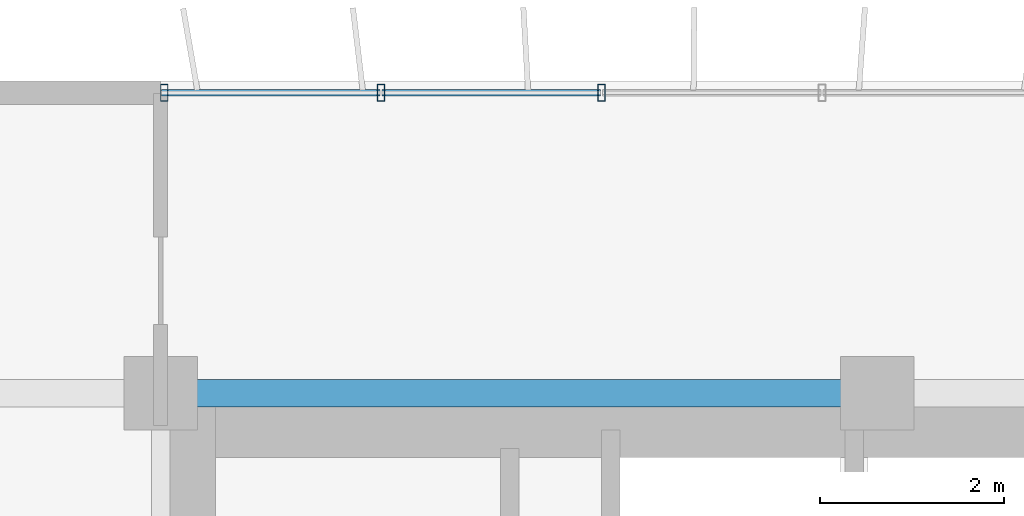
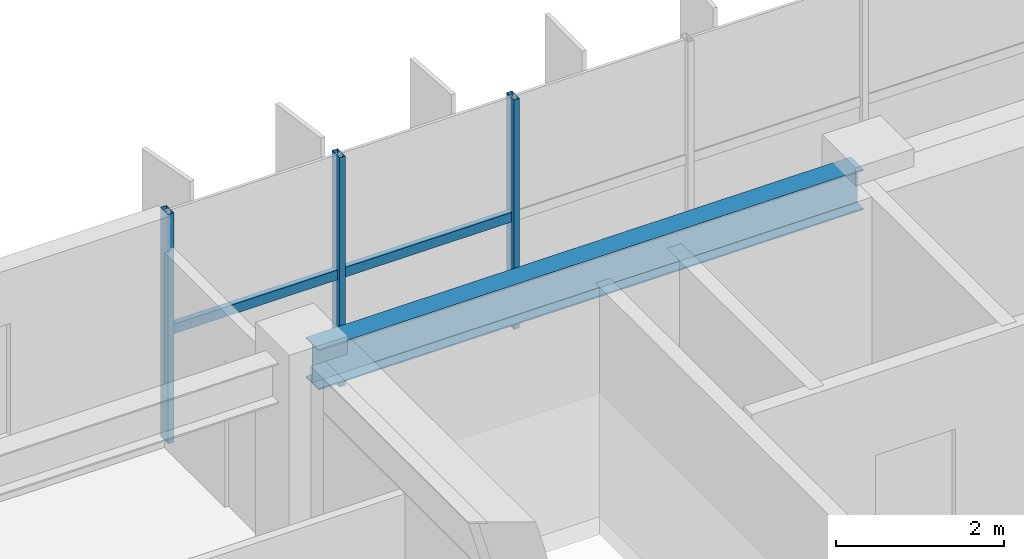
# One storey, part 5 of 22: 5 members, 1 beam, 1 element without a shape of its own.
"""IFC4 building model written with IfcOpenShell, lengths in metres."""

import ifcopenshell
import ifcopenshell.guid

model = None  # the IFC model being written
_history = None  # IfcOwnerHistory: only IFC2X3 demands one
_inside = {}  # id of a spatial element -> (the spatial element, [elements in it])
_under = {}  # id of a project, library or spatial element -> (it, [spatial elements below it])
_declared = {}  # id of a project -> (the project, [libraries it declares])
_typed = {}  # id of a type object -> (the type object, [elements of that type])
_made_of = {}  # id of a material, layer set ... -> (it, [elements and type objects made of it])


def new_model(schema):
    """Start an empty IFC model of exactly this schema.

    Asked for "IFC4X3", IfcOpenShell would pick the latest addendum, in which some entities
    have other attributes; the version numbers below select the first issue.
    IFC2X3 requires an IfcOwnerHistory on every rooted entity: one is made here for all.
    """
    global model, _history
    if schema == "IFC4X3":
        model = ifcopenshell.file(schema_version=(4, 3, 0, 0))
    else:
        model = ifcopenshell.file(schema=schema)
    _inside.clear()
    _under.clear()
    _declared.clear()
    _typed.clear()
    _made_of.clear()
    _history = None
    if model.schema == "IFC2X3":
        org = make("IfcOrganization", Name="unknown")
        user = make(
            "IfcPersonAndOrganization",
            ThePerson=make("IfcPerson", FamilyName="unknown"),
            TheOrganization=org,
        )
        app = make(
            "IfcApplication",
            ApplicationDeveloper=org,
            Version="unknown",
            ApplicationFullName="unknown",
            ApplicationIdentifier="unknown",
        )
        _history = make(
            "IfcOwnerHistory",
            OwningUser=user,
            OwningApplication=app,
            ChangeAction="ADDED",
            CreationDate=0,
        )
    return model


def make(cls, **values):
    """One entity of the class cls with the attributes given. An attribute that is None is left unset."""
    return model.create_entity(
        cls, **{name: value for name, value in values.items() if value is not None}
    )


def rooted(cls, **values):
    """An entity with a GlobalId (a new one), such as an element, a storey or a relation."""
    return make(cls, GlobalId=ifcopenshell.guid.new(), OwnerHistory=_history, **values)


def si_unit(unit_type, name, prefix=None):
    """IfcSIUnit, for example si_unit("LENGTHUNIT", "METRE", prefix="MILLI")."""
    return make("IfcSIUnit", UnitType=unit_type, Prefix=prefix, Name=name)


def assignment(units):
    """IfcUnitAssignment: the units of a project."""
    return None if units is None else make("IfcUnitAssignment", Units=units)


def point(xyz):
    """IfcCartesianPoint."""
    return None if xyz is None else make("IfcCartesianPoint", Coordinates=xyz)


def direction(xyz):
    """IfcDirection."""
    return None if xyz is None else make("IfcDirection", DirectionRatios=xyz)


def frame(location, z_axis=None, x_axis=None):
    """IfcAxis2Placement3D, a coordinate frame: its origin and axes. An axis left out is left unset."""
    return make(
        "IfcAxis2Placement3D",
        Location=point(location),
        Axis=direction(z_axis),
        RefDirection=direction(x_axis),
    )


def frame_2d(location, x_axis=None):
    """IfcAxis2Placement2D, a coordinate frame in the plane: its origin and x axis."""
    return make(
        "IfcAxis2Placement2D", Location=point(location), RefDirection=direction(x_axis)
    )


def origin():
    """The frame at (0, 0, 0) with its axes left unset."""
    return frame((0.0, 0.0, 0.0))


def origin_2d():
    """The frame at (0, 0) in the plane with its x axis left unset."""
    return frame_2d((0.0, 0.0))


def place(relative_to, where):
    """IfcLocalPlacement: puts the frame where relative to a parent placement (None: the world)."""
    return make(
        "IfcLocalPlacement", PlacementRelTo=relative_to, RelativePlacement=where
    )


def context(
    kind, dimensions, precision=None, world=None, true_north=None, identifier=None
):
    """IfcGeometricRepresentationContext, for example the 3D "Model" context."""
    return make(
        "IfcGeometricRepresentationContext",
        ContextIdentifier=identifier,
        ContextType=kind,
        CoordinateSpaceDimension=dimensions,
        Precision=precision,
        WorldCoordinateSystem=world,
        TrueNorth=true_north,
    )


def subcontext(parent, identifier, kind, view, scale=None):
    """IfcGeometricRepresentationSubContext, for example "Body" below "Model"."""
    return make(
        "IfcGeometricRepresentationSubContext",
        ContextIdentifier=identifier,
        ContextType=kind,
        ParentContext=parent,
        TargetScale=scale,
        TargetView=view,
    )


def project(units=None, contexts=None):
    """IfcProject with its units and contexts."""
    return rooted(
        "IfcProject",
        Name="project",
        RepresentationContexts=contexts,
        UnitsInContext=assignment(units),
    )


def spatial(cls, under=None, at=None, **own):
    """A site, building, storey or space (cls), placed at a placement, below another one or the project."""
    s = rooted(cls, ObjectPlacement=at, **own)
    if under is not None:
        _under.setdefault(under.id(), (under, []))[1].append(s)
    return s


def profile(cls, at=None, kind="AREA", **sizes):
    """A parametric profile (cls). Its sizes go by their IFC names, for example OverallWidth=200.0."""
    return make(cls, ProfileType=kind, Position=at, **sizes)


def hollow_rectangle(**sizes):
    """IfcRectangleHollowProfileDef."""
    return profile("IfcRectangleHollowProfileDef", **sizes)


def i_section(**sizes):
    """IfcIShapeProfileDef."""
    return profile("IfcIShapeProfileDef", **sizes)


def extrude(swept, where, along, depth):
    """IfcExtrudedAreaSolid: the profile swept, set in the frame where, extruded along a direction by depth."""
    return make(
        "IfcExtrudedAreaSolid",
        SweptArea=swept,
        Position=where,
        ExtrudedDirection=direction(along),
        Depth=depth,
    )


def shape(context_of_items, identifier, shape_type, items):
    """IfcShapeRepresentation: the items that make up one representation, for example the "Body"."""
    return make(
        "IfcShapeRepresentation",
        ContextOfItems=context_of_items,
        RepresentationIdentifier=identifier,
        RepresentationType=shape_type,
        Items=items,
    )


def source(mapping_origin, context_of_items, identifier, shape_type, items):
    """IfcRepresentationMap: a shape defined once, which mapped items show again and again."""
    return make(
        "IfcRepresentationMap",
        MappingOrigin=mapping_origin,
        MappedRepresentation=shape(context_of_items, identifier, shape_type, items),
    )


def transform(
    local_origin,
    x_axis=None,
    y_axis=None,
    z_axis=None,
    scale=None,
    scale2=None,
    scale3=None,
    uniform=True,
):
    """IfcCartesianTransformationOperator3D, or its non-uniform kind. x_axis, y_axis, z_axis: its Axis1, 2, 3."""
    if uniform:
        return make(
            "IfcCartesianTransformationOperator3D",
            Axis1=direction(x_axis),
            Axis2=direction(y_axis),
            LocalOrigin=point(local_origin),
            Scale=scale,
            Axis3=direction(z_axis),
        )
    return make(
        "IfcCartesianTransformationOperator3DnonUniform",
        Axis1=direction(x_axis),
        Axis2=direction(y_axis),
        LocalOrigin=point(local_origin),
        Scale=scale,
        Axis3=direction(z_axis),
        Scale2=scale2,
        Scale3=scale3,
    )


def mapped(mapping_source, mapping_target):
    """IfcMappedItem: shows the shape of a source again, moved by a transform."""
    return make(
        "IfcMappedItem", MappingSource=mapping_source, MappingTarget=mapping_target
    )


def material(Name=None, Category=None):
    """IfcMaterial."""
    return make("IfcMaterial", Name=Name, Category=Category)


def material_profile(
    of_material, cross_section, Name=None, Category=None, Priority=None
):
    """IfcMaterialProfile: a cross section and its material."""
    return make(
        "IfcMaterialProfile",
        Name=Name,
        Material=of_material,
        Profile=cross_section,
        Priority=Priority,
        Category=Category,
    )


def profile_set(profiles, Name=None, composite=None):
    """IfcMaterialProfileSet."""
    return make(
        "IfcMaterialProfileSet",
        Name=Name,
        MaterialProfiles=profiles,
        CompositeProfile=composite,
    )


def made_of(thing, what):
    """Note that an element or type object is made of a material, layer set ...; save() writes the relation."""
    if what is not None:
        _made_of.setdefault(what.id(), (what, []))[1].append(thing)
    return thing


def type_object(cls, material=None, **own):
    """A type object (cls), such as IfcWallType, which elements share."""
    return made_of(rooted(cls, **own), material)


def element(
    cls,
    number,
    at=None,
    inside=None,
    cuts=None,
    type_object=None,
    material=None,
    context=None,
    identifier="Body",
    shape_type=None,
    held_by="IfcProductDefinitionShape",
    body=None,
    shapes=None,
    **own,
):
    """One element of the class cls, such as IfcWall. Its Tag is "e" and its number.

    at: its placement. inside: the storey or other place that contains it. cuts: it is an
    opening in that element (IfcRelVoidsElement). A single representation is given by context,
    identifier, shape_type and body (its items); several are given by shapes. held_by: the class
    of the entity that holds the representations. save() writes the other relations.
    """
    e = rooted(cls, Tag="e%d" % number, ObjectPlacement=at, **own)
    if body is not None:
        shapes = [shape(context, identifier, shape_type, body)]
    if shapes is not None:
        e.Representation = make(held_by, Representations=shapes)
    if inside is not None:
        _inside.setdefault(inside.id(), (inside, []))[1].append(e)
    if cuts is not None:
        rooted(
            "IfcRelVoidsElement", RelatingBuildingElement=cuts, RelatedOpeningElement=e
        )
    if type_object is not None:
        _typed.setdefault(type_object.id(), (type_object, []))[1].append(e)
    return made_of(e, material)


def aggregate(whole, parts):
    """IfcRelAggregates: a whole, such as a stair, and the parts it consists of."""
    return rooted("IfcRelAggregates", RelatingObject=whole, RelatedObjects=parts)


def save(model, path):
    """Write the relations noted so far, then the file.

    IfcRelAggregates (storeys below a building ...), IfcRelContainedInSpatialStructure (elements
    in a storey), IfcRelDefinesByType, IfcRelAssociatesMaterial and IfcRelDeclares: one each for
    every whole, place, type object, material and project.
    """
    for whole, parts in _under.values():
        aggregate(whole, parts)
    for where, things in _inside.values():
        rooted(
            "IfcRelContainedInSpatialStructure",
            RelatedElements=things,
            RelatingStructure=where,
        )
    for kind, things in _typed.values():
        rooted("IfcRelDefinesByType", RelatedObjects=things, RelatingType=kind)
    for what, things in _made_of.values():
        rooted("IfcRelAssociatesMaterial", RelatedObjects=things, RelatingMaterial=what)
    for by, libraries in _declared.values():
        rooted("IfcRelDeclares", RelatingContext=by, RelatedDefinitions=libraries)
    model.write(path)


model = new_model("IFC4")

# Units and contexts
model_context = context("Model", 3, precision=1e-05, world=origin(), true_north=direction((0.0, 1.0)))
body_context = subcontext(model_context, "Body", "Model", "MODEL_VIEW")
ifc_project = project(units=[si_unit("LENGTHUNIT", "METRE"), si_unit("AREAUNIT", "SQUARE_METRE"), si_unit("VOLUMEUNIT", "CUBIC_METRE"), si_unit("PLANEANGLEUNIT", "RADIAN"), si_unit("MASSUNIT", "GRAM", prefix="KILO")], contexts=[model_context])

# Site, building, storey
site_placement = place(None, origin())
site = spatial("IfcSite", under=ifc_project, at=site_placement, CompositionType="ELEMENT")
building_placement = place(site_placement, origin())
building = spatial("IfcBuilding", under=site, at=building_placement, Name="Trelvane Seafront Commons", CompositionType="ELEMENT")
storey_placement = place(building_placement, frame((0.0, 0.0, 117.699951171875)))
storey = spatial("IfcBuildingStorey", under=building, at=storey_placement, Name="L30", CompositionType="ELEMENT", Elevation=117.699951171875)

# Beam
ifc_material_1 = material(Name="Steel SM355 (S355)", Category="steel")
ifc_material_profile_1 = material_profile(ifc_material_1, i_section(OverallWidth=0.300048828125, OverallDepth=0.587890625, WebThickness=0.011962890625, FlangeThickness=0.02001953125, at=origin_2d()), Name="H-588x300x12x20")
ifc_profile_set_1 = profile_set([ifc_material_profile_1], Name="Steel SM355 (S355)")
beam_type = type_object("IfcBeamType", Name="STR-BM-H588", PredefinedType="BEAM", material=ifc_profile_set_1)
shared_shape_1 = source(origin(), body_context, "Body", "SweptSolid", [
    extrude(i_section(OverallWidth=0.300048828125, OverallDepth=0.587890625, WebThickness=0.011962890625, FlangeThickness=0.02001953125, at=origin_2d()), origin(), (0.0, 0.0, 1.0), 7.5),
])
beam_placement = place(storey_placement, frame((15.75, 45.10009765625, 3.046142578125), z_axis=(1.0, 0.0, 0.0), x_axis=(0.0, 1.0, 0.0)))
element("IfcBeam", 1, at=beam_placement, inside=storey, type_object=beam_type, Name="L30 Primary Girder G-30", PredefinedType="BEAM", context=body_context, shape_type="MappedRepresentation", body=[
    mapped(shared_shape_1, transform((0.0, 0.0, 0.0), x_axis=(1.0, 0.0, 0.0), y_axis=(0.0, 1.0, 0.0), z_axis=(0.0, 0.0, 1.0), scale=1.0)),
])

# Curtain wall, members
ifc_material_2 = material(Name="Anodised pale-silver aluminium", Category="aluminium")
curtain_wall_type = type_object("IfcCurtainWallType", Name="ARCH-CW4-SKYLOBBY", PredefinedType="NOTDEFINED", material=ifc_material_2)
curtain_wall_placement = place(storey_placement, origin())
curtain_wall = element("IfcCurtainWall", 2, at=curtain_wall_placement, inside=storey, type_object=curtain_wall_type, Name="CW-L30-0055", PredefinedType="NOTDEFINED")
ifc_material_profile_2 = material_profile(ifc_material_2, hollow_rectangle(XDim=0.074951171875, YDim=0.139892578125, WallThickness=0.00390625, at=origin_2d()), Name="TRAN-75x140x4")
ifc_profile_set_2 = profile_set([ifc_material_profile_2], Name="Anodised pale-silver aluminium")
member_type_1 = type_object("IfcMemberType", Name="ARCH-CW-TRAN-140", PredefinedType="USERDEFINED", material=ifc_profile_set_2)
shared_shape_2 = source(origin(), body_context, "Body", "SweptSolid", [
    extrude(hollow_rectangle(XDim=0.074951171875, YDim=0.139892578125, WallThickness=0.00390625, at=origin_2d()), origin(), (0.0, 0.0, 1.0), 2.3759765625),
])
member_1_placement = place(storey_placement, frame((15.612060546875, 48.3701171875, 1.60302734375), z_axis=(1.0, 0.0, 0.0), x_axis=(0.0, 1.0, 0.0)))
member_1 = element("IfcMember", 3, at=member_1_placement, type_object=member_type_1, Name="CW-L30-0055-T00", ObjectType="TRANSOM", PredefinedType="USERDEFINED", context=body_context, shape_type="MappedRepresentation", body=[
    mapped(shared_shape_2, transform((0.0, 0.0, 0.0), x_axis=(1.0, 0.0, 0.0), y_axis=(0.0, 1.0, 0.0), z_axis=(0.0, 0.0, 1.0), scale=1.0)),
])
member_2_placement = place(storey_placement, frame((18.011962890625, 48.3701171875, 1.60302734375), z_axis=(1.0, 0.0, 0.0), x_axis=(0.0, 1.0, 0.0)))
member_2 = element("IfcMember", 4, at=member_2_placement, type_object=member_type_1, Name="CW-L30-0055-T01", ObjectType="TRANSOM", PredefinedType="USERDEFINED", context=body_context, shape_type="MappedRepresentation", body=[
    mapped(shared_shape_2, transform((0.0, 0.0, 0.0), x_axis=(1.0, 0.0, 0.0), y_axis=(0.0, 1.0, 0.0), z_axis=(0.0, 0.0, 1.0), scale=1.0)),
])
ifc_material_profile_3 = material_profile(ifc_material_2, hollow_rectangle(XDim=0.080078125, YDim=0.179931640625, WallThickness=0.00439453125, at=origin_2d()), Name="MULL-80x180x4.5")
ifc_profile_set_3 = profile_set([ifc_material_profile_3], Name="Anodised pale-silver aluminium")
member_type_2 = type_object("IfcMemberType", Name="ARCH-CW-MULL-180", PredefinedType="MULLION", material=ifc_profile_set_3)
shared_shape_3 = source(origin(), body_context, "Body", "SweptSolid", [
    extrude(hollow_rectangle(XDim=0.080078125, YDim=0.179931640625, WallThickness=0.00439453125, at=origin_2d()), origin(), (0.0, 0.0, 1.0), 3.340087890625),
])
member_3_placement = place(storey_placement, frame((15.639892578125, 48.3701171875, 0.0), z_axis=(0.0, 0.0, 1.0), x_axis=(1.0, 0.0, 0.0)))
member_3 = element("IfcMember", 5, at=member_3_placement, type_object=member_type_2, Name="CW-L30-0055-M00", PredefinedType="MULLION", context=body_context, shape_type="MappedRepresentation", body=[
    mapped(shared_shape_3, transform((0.0, 0.0, 0.0), x_axis=(1.0, 0.0, 0.0), y_axis=(0.0, 1.0, 0.0), z_axis=(0.0, 0.0, 1.0), scale=1.0)),
])
member_4_placement = place(storey_placement, frame((18.0, 48.3701171875, 0.0), z_axis=(0.0, 0.0, 1.0), x_axis=(1.0, 0.0, 0.0)))
member_4 = element("IfcMember", 6, at=member_4_placement, type_object=member_type_2, Name="CW-L30-0055-M01", PredefinedType="MULLION", context=body_context, shape_type="MappedRepresentation", body=[
    mapped(shared_shape_3, transform((0.0, 0.0, 0.0), x_axis=(1.0, 0.0, 0.0), y_axis=(0.0, 1.0, 0.0), z_axis=(0.0, 0.0, 1.0), scale=1.0)),
])
member_5_placement = place(storey_placement, frame((20.39990234375, 48.3701171875, 0.0), z_axis=(0.0, 0.0, 1.0), x_axis=(1.0, 0.0, 0.0)))
member_5 = element("IfcMember", 7, at=member_5_placement, type_object=member_type_2, Name="CW-L30-0055-M02", PredefinedType="MULLION", context=body_context, shape_type="MappedRepresentation", body=[
    mapped(shared_shape_3, transform((0.0, 0.0, 0.0), x_axis=(1.0, 0.0, 0.0), y_axis=(0.0, 1.0, 0.0), z_axis=(0.0, 0.0, 1.0), scale=1.0)),
])
aggregate(curtain_wall, [member_3, member_4, member_5, member_1, member_2])

save(model, "model.ifc")
